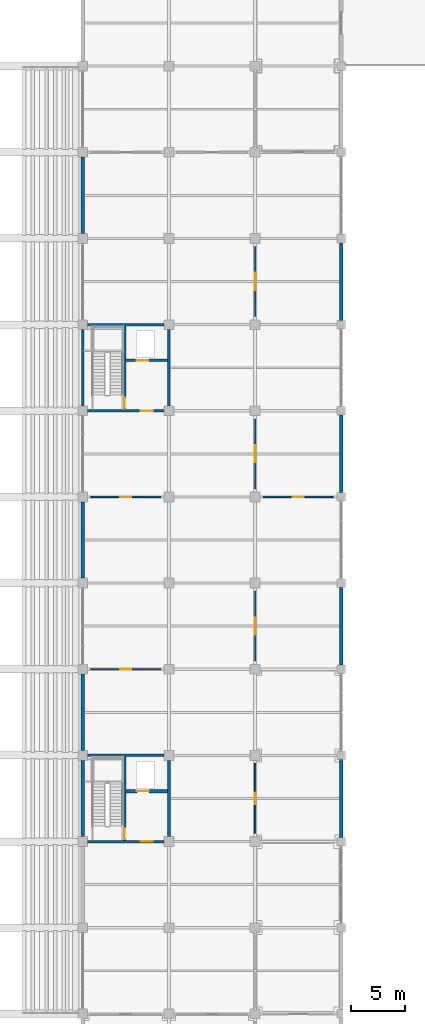
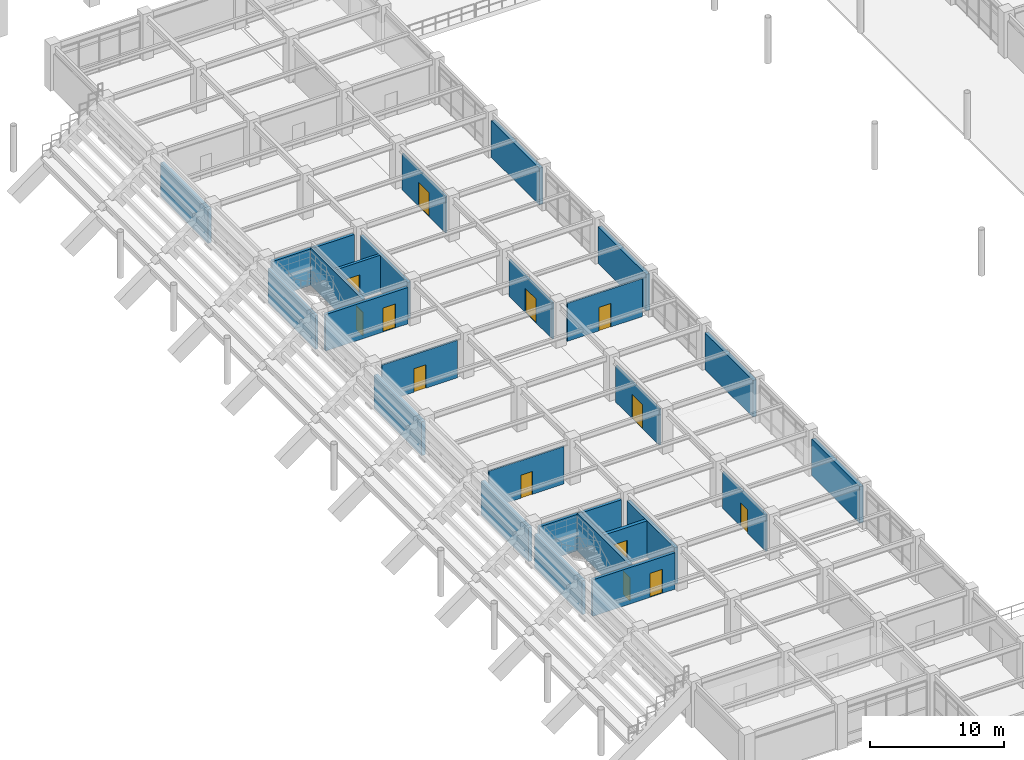
# One storey, part 92 of 118: 26 walls, 13 doors, 13 openings.
"""IFC4 building model written with IfcOpenShell, lengths in metres."""

from ifc_helpers import new_model, si_unit, direction, frame, frame_2d, origin, place, context, subcontext, project, spatial, rectangle, extrude, material, layer, layer_set, type_object, element, fill, save


model = new_model("IFC4")

# Units and contexts
model_context = context("Model", 3, precision=1e-05, world=origin(), true_north=direction((0.0, 1.0)))
body_context = subcontext(model_context, "Body", "Model", "MODEL_VIEW")
ifc_project = project(units=[si_unit("LENGTHUNIT", "METRE"), si_unit("AREAUNIT", "SQUARE_METRE"), si_unit("VOLUMEUNIT", "CUBIC_METRE"), si_unit("PLANEANGLEUNIT", "RADIAN"), si_unit("MASSUNIT", "GRAM", prefix="KILO")], contexts=[model_context])

# Site, building, storey
site_placement = place(None, origin())
site = spatial("IfcSite", under=ifc_project, at=site_placement, CompositionType="ELEMENT")
building_placement = place(site_placement, origin())
building = spatial("IfcBuilding", under=site, at=building_placement, Name="Haebicheon Civic Stadium", CompositionType="ELEMENT")
storey_placement = place(building_placement, frame((0.0, 0.0, 14.39990234375)))
storey = spatial("IfcBuildingStorey", under=building, at=storey_placement, Name="L04", CompositionType="ELEMENT", Elevation=14.39990234375)

# Wall, opening, door
ifc_material_1 = material(Name="Concrete C40/50", Category="concrete")
ifc_layer_1 = layer(ifc_material_1, 0.239990234375, Name="Concrete C40/50")
ifc_layer_set_1 = layer_set([ifc_layer_1], Name="Concrete C40/50")
wall_type_1 = type_object("IfcWallType", Name="CW-SHR-240", PredefinedType="SHEAR", material=ifc_layer_set_1)
wall_1_placement = place(storey_placement, frame((144.449951171875, 64.0, 0.0), z_axis=(0.0, 0.0, 1.0), x_axis=(1.0, 0.0, 0.0)))
wall_1 = element("IfcWall", 1, at=wall_1_placement, inside=storey, type_object=wall_type_1, material=ifc_layer_set_1, Name="KC-10 L04 south core shear wall", PredefinedType="SHEAR", context=body_context, shape_type="SweptSolid", body=[
    extrude(rectangle(XDim=7.10009765625, YDim=0.239990234375, at=frame_2d((3.550048828125, 0.0))), origin(), (0.0, 0.0, 1.0), 3.330078125),
])
opening_1_placement = place(wall_1_placement, frame((4.949951171875, 0.0, 0.0)))
opening_1 = element("IfcOpeningElement", 2, at=opening_1_placement, cuts=wall_1, Name="Opening D-L04-KC-10-LOB", PredefinedType="OPENING", context=body_context, shape_type="SweptSolid", body=[
    extrude(rectangle(XDim=1.10009765625, YDim=2.199951171875, at=frame_2d((0.550048828125, 1.10009765625))), frame((0.0, 0.1298828125, 0.0), z_axis=(0.0, -1.0, 0.0), x_axis=(1.0, 0.0, 0.0)), (0.0, 0.0, 1.0), 0.260009765625),
])
ifc_material_2 = material(Name="Galvanised painted steel SM355", Category="steel")
door_type_1 = type_object("IfcDoorType", Name="ID-FD-1100", OperationType="NOTDEFINED", PredefinedType="DOOR", material=ifc_material_2)
door_1_placement = place(opening_1_placement, origin())
door_1 = element("IfcDoor", 3, at=door_1_placement, inside=storey, type_object=door_type_1, material=ifc_material_2, Name="L04 KC-10 lobby fire door", OperationType="SINGLE_SWING_LEFT", OverallHeight=2.199951171875, OverallWidth=1.10009765625, PredefinedType="DOOR", context=body_context, shape_type="SweptSolid", body=[
    extrude(rectangle(XDim=1.10009765625, YDim=2.199951171875, at=frame_2d((0.550048828125, 1.10009765625))), frame((0.0, 0.02490234375, 0.0), z_axis=(0.0, -1.0, 0.0), x_axis=(1.0, 0.0, 0.0)), (0.0, 0.0, 1.0), 0.050048828125),
])
fill(opening_1, door_1)

# Wall
wall_2_placement = place(storey_placement, frame((144.449951171875, 72.0, 0.0), z_axis=(0.0, 0.0, 1.0), x_axis=(1.0, 0.0, 0.0)))
element("IfcWall", 4, at=wall_2_placement, inside=storey, type_object=wall_type_1, material=ifc_layer_set_1, Name="KC-10 L04 north core shear wall", PredefinedType="SHEAR", context=body_context, shape_type="SweptSolid", body=[
    extrude(rectangle(XDim=7.10009765625, YDim=0.239990234375, at=frame_2d((3.550048828125, 0.0))), origin(), (0.0, 0.0, 1.0), 3.330078125),
])

# Wall, opening, door
wall_3_placement = place(storey_placement, frame((144.449951171875, 104.0, 0.0), z_axis=(0.0, 0.0, 1.0), x_axis=(1.0, 0.0, 0.0)))
wall_3 = element("IfcWall", 5, at=wall_3_placement, inside=storey, type_object=wall_type_1, material=ifc_layer_set_1, Name="KC-11 L04 south core shear wall", PredefinedType="SHEAR", context=body_context, shape_type="SweptSolid", body=[
    extrude(rectangle(XDim=7.10009765625, YDim=0.239990234375, at=frame_2d((3.550048828125, 0.0))), origin(), (0.0, 0.0, 1.0), 3.330078125),
])
opening_2_placement = place(wall_3_placement, frame((4.949951171875, 0.0, 0.0)))
opening_2 = element("IfcOpeningElement", 6, at=opening_2_placement, cuts=wall_3, Name="Opening D-L04-KC-11-LOB", PredefinedType="OPENING", context=body_context, shape_type="SweptSolid", body=[
    extrude(rectangle(XDim=1.10009765625, YDim=2.199951171875, at=frame_2d((0.550048828125, 1.10009765625))), frame((0.0, 0.1298828125, 0.0), z_axis=(0.0, -1.0, 0.0), x_axis=(1.0, 0.0, 0.0)), (0.0, 0.0, 1.0), 0.260009765625),
])
door_2_placement = place(opening_2_placement, origin())
door_2 = element("IfcDoor", 7, at=door_2_placement, inside=storey, type_object=door_type_1, material=ifc_material_2, Name="L04 KC-11 lobby fire door", OperationType="SINGLE_SWING_RIGHT", OverallHeight=2.199951171875, OverallWidth=1.10009765625, PredefinedType="DOOR", context=body_context, shape_type="SweptSolid", body=[
    extrude(rectangle(XDim=1.10009765625, YDim=2.199951171875, at=frame_2d((0.550048828125, 1.10009765625))), frame((0.0, 0.02490234375, 0.0), z_axis=(0.0, -1.0, 0.0), x_axis=(1.0, 0.0, 0.0)), (0.0, 0.0, 1.0), 0.050048828125),
])
fill(opening_2, door_2)

# Walls
wall_4_placement = place(storey_placement, frame((144.449951171875, 112.0, 0.0), z_axis=(0.0, 0.0, 1.0), x_axis=(1.0, 0.0, 0.0)))
element("IfcWall", 8, at=wall_4_placement, inside=storey, type_object=wall_type_1, material=ifc_layer_set_1, Name="KC-11 L04 north core shear wall", PredefinedType="SHEAR", context=body_context, shape_type="SweptSolid", body=[
    extrude(rectangle(XDim=7.10009765625, YDim=0.239990234375, at=frame_2d((3.550048828125, 0.0))), origin(), (0.0, 0.0, 1.0), 3.330078125),
])
wall_5_placement = place(storey_placement, frame((144.0, 104.449951171875, 0.0), z_axis=(0.0, 0.0, 1.0), x_axis=(0.0, 1.0, 0.0)))
element("IfcWall", 9, at=wall_5_placement, inside=storey, type_object=wall_type_1, material=ifc_layer_set_1, Name="KC-11 L04 west core shear wall", PredefinedType="SHEAR", context=body_context, shape_type="SweptSolid", body=[
    extrude(rectangle(XDim=7.10009765625, YDim=0.239990234375, at=frame_2d((3.550048828125, 0.0))), origin(), (0.0, 0.0, 1.0), 3.10009765625),
])
wall_6_placement = place(storey_placement, frame((152.0, 104.449951171875, 0.0), z_axis=(0.0, 0.0, 1.0), x_axis=(0.0, 1.0, 0.0)))
element("IfcWall", 10, at=wall_6_placement, inside=storey, type_object=wall_type_1, material=ifc_layer_set_1, Name="KC-11 L04 east core shear wall", PredefinedType="SHEAR", context=body_context, shape_type="SweptSolid", body=[
    extrude(rectangle(XDim=7.10009765625, YDim=0.239990234375, at=frame_2d((3.550048828125, 0.0))), origin(), (0.0, 0.0, 1.0), 3.330078125),
])

# Wall, opening, door
wall_7_placement = place(storey_placement, frame((147.8798828125, 104.1201171875, 0.0), z_axis=(0.0, 0.0, 1.0), x_axis=(0.0, 1.0, 0.0)))
wall_7 = element("IfcWall", 11, at=wall_7_placement, inside=storey, type_object=wall_type_1, material=ifc_layer_set_1, Name="KC-11 L04 stair-lobby dividing shear wall", PredefinedType="SHEAR", context=body_context, shape_type="SweptSolid", body=[
    extrude(rectangle(XDim=7.759765625, YDim=0.239990234375, at=frame_2d((3.8798828125, 0.0))), origin(), (0.0, 0.0, 1.0), 3.43017578125),
])
opening_3_placement = place(wall_7_placement, frame((0.080078125, 0.0, 0.0)))
opening_3 = element("IfcOpeningElement", 12, at=opening_3_placement, cuts=wall_7, Name="Opening D-L04-KC-11-STR", PredefinedType="OPENING", context=body_context, shape_type="SweptSolid", body=[
    extrude(rectangle(XDim=1.050048828125, YDim=2.14990234375, at=frame_2d((0.52490234375, 1.074951171875))), frame((0.0, 0.1298828125, 0.0), z_axis=(0.0, -1.0, 0.0), x_axis=(1.0, 0.0, 0.0)), (0.0, 0.0, 1.0), 0.260009765625),
])
ifc_material_3 = material(Name="Galvanised painted steel SM355", Category="steel")
door_type_2 = type_object("IfcDoorType", Name="ID-FD-1050", OperationType="NOTDEFINED", PredefinedType="DOOR", material=ifc_material_3)
door_3_placement = place(opening_3_placement, origin())
door_3 = element("IfcDoor", 13, at=door_3_placement, inside=storey, type_object=door_type_2, material=ifc_material_3, Name="L04 ST-11 stairwell escape door", OperationType="SINGLE_SWING_LEFT", OverallHeight=2.14990234375, OverallWidth=1.050048828125, PredefinedType="DOOR", context=body_context, shape_type="SweptSolid", body=[
    extrude(rectangle(XDim=1.050048828125, YDim=2.14990234375, at=frame_2d((0.52490234375, 1.074951171875))), frame((0.0, 0.02490234375, 0.0), z_axis=(0.0, -1.0, 0.0), x_axis=(1.0, 0.0, 0.0)), (0.0, 0.0, 1.0), 0.050048828125),
])
fill(opening_3, door_3)

wall_8_placement = place(storey_placement, frame((148.0, 108.679931640625, 0.0), z_axis=(0.0, 0.0, 1.0), x_axis=(1.0, 0.0, 0.0)))
wall_8 = element("IfcWall", 14, at=wall_8_placement, inside=storey, type_object=wall_type_1, material=ifc_layer_set_1, Name="KC-11 L04 lift shaft front wall", PredefinedType="SHEAR", context=body_context, shape_type="SweptSolid", body=[
    extrude(rectangle(XDim=3.8798828125, YDim=0.239990234375, at=frame_2d((1.93994140625, 0.0))), origin(), (0.0, 0.0, 1.0), 3.330078125),
])
opening_4_placement = place(wall_8_placement, frame((1.0, 0.0, 0.0)))
opening_4 = element("IfcOpeningElement", 15, at=opening_4_placement, cuts=wall_8, Name="Opening LD-08-L04", PredefinedType="OPENING", context=body_context, shape_type="SweptSolid", body=[
    extrude(rectangle(XDim=1.10009765625, YDim=2.14990234375, at=frame_2d((0.550048828125, 1.074951171875))), frame((0.0, 0.1298828125, 0.0), z_axis=(0.0, -1.0, 0.0), x_axis=(1.0, 0.0, 0.0)), (0.0, 0.0, 1.0), 0.260009765625),
])
ifc_material_4 = material(Name="Stainless steel 316", Category="steel")
door_type_3 = type_object("IfcDoorType", Name="ID-LD-1100", OperationType="NOTDEFINED", PredefinedType="DOOR", material=ifc_material_4)
door_4_placement = place(opening_4_placement, origin())
door_4 = element("IfcDoor", 16, at=door_4_placement, inside=storey, type_object=door_type_3, material=ifc_material_4, Name="LF-08 lift landing sliding door L04", OperationType="SLIDING_TO_LEFT", OverallHeight=2.14990234375, OverallWidth=1.10009765625, PredefinedType="DOOR", context=body_context, shape_type="SweptSolid", body=[
    extrude(rectangle(XDim=1.10009765625, YDim=2.14990234375, at=frame_2d((0.550048828125, 1.074951171875))), frame((0.0, 0.02490234375, 0.0), z_axis=(0.0, -1.0, 0.0), x_axis=(1.0, 0.0, 0.0)), (0.0, 0.0, 1.0), 0.050048828125),
])
fill(opening_4, door_4)

# Walls
ifc_material_5 = material(Name="Concrete C40/50", Category="concrete")
ifc_layer_2 = layer(ifc_material_5, 0.300048828125, Name="Concrete C40/50")
ifc_layer_set_2 = layer_set([ifc_layer_2], Name="Concrete C40/50")
wall_type_2 = type_object("IfcWallType", Name="CW-SHR-300", PredefinedType="SHEAR", material=ifc_layer_set_2)
wall_9_placement = place(storey_placement, frame((144.0, 64.449951171875, 0.0), z_axis=(0.0, 0.0, 1.0), x_axis=(0.0, 1.0, 0.0)))
element("IfcWall", 17, at=wall_9_placement, inside=storey, type_object=wall_type_2, material=ifc_layer_set_2, Name="KC-10 L04 west core shear wall", PredefinedType="SHEAR", context=body_context, shape_type="SweptSolid", body=[
    extrude(rectangle(XDim=7.10009765625, YDim=0.300048828125, at=frame_2d((3.550048828125, 0.0))), origin(), (0.0, 0.0, 1.0), 3.10009765625),
])
wall_10_placement = place(storey_placement, frame((152.0, 64.449951171875, 0.0), z_axis=(0.0, 0.0, 1.0), x_axis=(0.0, 1.0, 0.0)))
element("IfcWall", 18, at=wall_10_placement, inside=storey, type_object=wall_type_2, material=ifc_layer_set_2, Name="KC-10 L04 east core shear wall", PredefinedType="SHEAR", context=body_context, shape_type="SweptSolid", body=[
    extrude(rectangle(XDim=7.10009765625, YDim=0.300048828125, at=frame_2d((3.550048828125, 0.0))), origin(), (0.0, 0.0, 1.0), 3.330078125),
])

# Wall, opening, door
wall_11_placement = place(storey_placement, frame((147.8798828125, 64.1201171875, 0.0), z_axis=(0.0, 0.0, 1.0), x_axis=(0.0, 1.0, 0.0)))
wall_11 = element("IfcWall", 19, at=wall_11_placement, inside=storey, type_object=wall_type_2, material=ifc_layer_set_2, Name="KC-10 L04 stair-lobby dividing shear wall", PredefinedType="SHEAR", context=body_context, shape_type="SweptSolid", body=[
    extrude(rectangle(XDim=7.759765625, YDim=0.300048828125, at=frame_2d((3.8798828125, 0.0))), origin(), (0.0, 0.0, 1.0), 3.43017578125),
])
opening_5_placement = place(wall_11_placement, frame((0.080078125, 0.0, 0.0)))
opening_5 = element("IfcOpeningElement", 20, at=opening_5_placement, cuts=wall_11, Name="Opening D-L04-KC-10-STR", PredefinedType="OPENING", context=body_context, shape_type="SweptSolid", body=[
    extrude(rectangle(XDim=1.050048828125, YDim=2.14990234375, at=frame_2d((0.52490234375, 1.074951171875))), frame((0.0, 0.159912109375, 0.0), z_axis=(0.0, -1.0, 0.0), x_axis=(1.0, 0.0, 0.0)), (0.0, 0.0, 1.0), 0.320068359375),
])
door_5_placement = place(opening_5_placement, origin())
door_5 = element("IfcDoor", 21, at=door_5_placement, inside=storey, type_object=door_type_2, material=ifc_material_3, Name="L04 ST-10 stairwell escape door", OperationType="SINGLE_SWING_RIGHT", OverallHeight=2.14990234375, OverallWidth=1.050048828125, PredefinedType="DOOR", context=body_context, shape_type="SweptSolid", body=[
    extrude(rectangle(XDim=1.050048828125, YDim=2.14990234375, at=frame_2d((0.52490234375, 1.074951171875))), frame((0.0, 0.02490234375, 0.0), z_axis=(0.0, -1.0, 0.0), x_axis=(1.0, 0.0, 0.0)), (0.0, 0.0, 1.0), 0.050048828125),
])
fill(opening_5, door_5)

wall_12_placement = place(storey_placement, frame((148.030029296875, 68.679931640625, 0.0), z_axis=(0.0, 0.0, 1.0), x_axis=(1.0, 0.0, 0.0)))
wall_12 = element("IfcWall", 22, at=wall_12_placement, inside=storey, type_object=wall_type_2, material=ifc_layer_set_2, Name="KC-10 L04 lift shaft front wall", PredefinedType="SHEAR", context=body_context, shape_type="SweptSolid", body=[
    extrude(rectangle(XDim=3.820068359375, YDim=0.300048828125, at=frame_2d((1.91015625, 0.0))), origin(), (0.0, 0.0, 1.0), 3.330078125),
])
opening_6_placement = place(wall_12_placement, frame((1.0, 0.0, 0.0)))
opening_6 = element("IfcOpeningElement", 23, at=opening_6_placement, cuts=wall_12, Name="Opening LD-07-L04", PredefinedType="OPENING", context=body_context, shape_type="SweptSolid", body=[
    extrude(rectangle(XDim=1.10009765625, YDim=2.14990234375, at=frame_2d((0.550048828125, 1.074951171875))), frame((0.0, 0.159912109375, 0.0), z_axis=(0.0, -1.0, 0.0), x_axis=(1.0, 0.0, 0.0)), (0.0, 0.0, 1.0), 0.320068359375),
])
door_6_placement = place(opening_6_placement, origin())
door_6 = element("IfcDoor", 24, at=door_6_placement, inside=storey, type_object=door_type_3, material=ifc_material_4, Name="LF-07 lift landing sliding door L04", OperationType="SLIDING_TO_LEFT", OverallHeight=2.14990234375, OverallWidth=1.10009765625, PredefinedType="DOOR", context=body_context, shape_type="SweptSolid", body=[
    extrude(rectangle(XDim=1.10009765625, YDim=2.14990234375, at=frame_2d((0.550048828125, 1.074951171875))), frame((0.0, 0.02490234375, 0.0), z_axis=(0.0, -1.0, 0.0), x_axis=(1.0, 0.0, 0.0)), (0.0, 0.0, 1.0), 0.050048828125),
])
fill(opening_6, door_6)

# Walls
ifc_material_6 = material(Name="Precast concrete C40/50", Category="concrete")
ifc_layer_3 = layer(ifc_material_6, 0.320068359375, Name="Precast concrete C40/50")
ifc_layer_set_3 = layer_set([ifc_layer_3], Name="Precast concrete C40/50")
wall_type_3 = type_object("IfcWallType", Name="EW-BM-320", PredefinedType="SOLIDWALL", material=ifc_layer_set_3)
for number, where, z_axis, x_axis, name in (
    (25, (144.0, 72.449951171875, 0.0), (0.0, 0.0, 1.0), (0.0, 1.0, 0.0), "L04 board-marked concrete facade wall 18-09-W"),
    (26, (144.0, 88.449951171875, 0.0), (0.0, 0.0, 1.0), (0.0, 1.0, 0.0), "L04 board-marked concrete facade wall 18-11-W"),
    (27, (144.0, 120.449951171875, 0.0), (0.0, 0.0, 1.0), (0.0, 1.0, 0.0), "L04 board-marked concrete facade wall 18-15-W"),
):
    element("IfcWall", number, at=place(storey_placement, frame(where, z_axis=z_axis, x_axis=x_axis)), inside=storey, type_object=wall_type_3, material=ifc_layer_set_3, Name=name, PredefinedType="SOLIDWALL", context=body_context, shape_type="SweptSolid", body=[
        extrude(rectangle(XDim=7.10009765625, YDim=0.320068359375, at=frame_2d((3.550048828125, 0.0))), origin(), (0.0, 0.0, 1.0), 3.10009765625),
    ])
for number, where, z_axis, x_axis, name in (
    (28, (168.0, 64.39990234375, 0.0), (0.0, 0.0, 1.0), (0.0, 1.0, 0.0), "L04 board-marked concrete facade wall 21-08-E"),
    (29, (168.0, 80.39990234375, 0.0), (0.0, 0.0, 1.0), (0.0, 1.0, 0.0), "L04 board-marked concrete facade wall 21-10-E"),
    (30, (168.0, 96.39990234375, 0.0), (0.0, 0.0, 1.0), (0.0, 1.0, 0.0), "L04 board-marked concrete facade wall 21-12-E"),
    (31, (168.0, 112.39990234375, 0.0), (0.0, 0.0, 1.0), (0.0, 1.0, 0.0), "L04 board-marked concrete facade wall 21-14-E"),
):
    element("IfcWall", number, at=place(storey_placement, frame(where, z_axis=z_axis, x_axis=x_axis)), inside=storey, type_object=wall_type_3, material=ifc_layer_set_3, Name=name, PredefinedType="SOLIDWALL", context=body_context, shape_type="SweptSolid", body=[
        extrude(rectangle(XDim=7.2001953125, YDim=0.320068359375, at=frame_2d((3.60009765625, 0.0))), origin(), (0.0, 0.0, 1.0), 3.35009765625),
    ])

# Wall, opening, door
ifc_material_7 = material(Name="Gypsum plasterboard on steel studs", Category="gypsum")
ifc_layer_4 = layer(ifc_material_7, 0.1298828125, Name="Gypsum plasterboard on steel studs")
ifc_layer_set_4 = layer_set([ifc_layer_4], Name="Gypsum plasterboard on steel studs")
wall_type_4 = type_object("IfcWallType", Name="IW-PRT-130", PredefinedType="PARTITIONING", material=ifc_layer_set_4)
wall_13_placement = place(storey_placement, frame((144.75, 80.0, 0.0), z_axis=(0.0, 0.0, 1.0), x_axis=(1.0, 0.0, 0.0)))
wall_13 = element("IfcWall", 32, at=wall_13_placement, inside=storey, type_object=wall_type_4, material=ifc_layer_set_4, Name="L04 Hospitality Service Pantry partition wall", PredefinedType="PARTITIONING", context=body_context, shape_type="SweptSolid", body=[
    extrude(rectangle(XDim=6.5, YDim=0.1298828125, at=frame_2d((3.25, 0.0))), origin(), (0.0, 0.0, 1.0), 3.43017578125),
])
opening_7_placement = place(wall_13_placement, frame((2.75, 0.0, 0.0)))
opening_7 = element("IfcOpeningElement", 33, at=opening_7_placement, cuts=wall_13, Name="Opening D-L04-392", PredefinedType="OPENING", context=body_context, shape_type="SweptSolid", body=[
    extrude(rectangle(XDim=1.0, YDim=2.10009765625, at=frame_2d((0.5, 1.050048828125))), frame((0.0, 0.074951171875, 0.0), z_axis=(0.0, -1.0, 0.0), x_axis=(1.0, 0.0, 0.0)), (0.0, 0.0, 1.0), 0.14990234375),
])
ifc_material_8 = material(Name="Engineered hardwood timber", Category="wood")
door_type_4 = type_object("IfcDoorType", Name="ID-RM-1000", OperationType="NOTDEFINED", PredefinedType="DOOR", material=ifc_material_8)
door_7_placement = place(opening_7_placement, origin())
door_7 = element("IfcDoor", 34, at=door_7_placement, inside=storey, type_object=door_type_4, material=ifc_material_8, Name="L04 Hospitality Service Pantry entrance door D-L04-392", OperationType="SINGLE_SWING_RIGHT", OverallHeight=2.10009765625, OverallWidth=1.0, PredefinedType="DOOR", context=body_context, shape_type="SweptSolid", body=[
    extrude(rectangle(XDim=1.0, YDim=2.10009765625, at=frame_2d((0.5, 1.050048828125))), frame((0.0, 0.02490234375, 0.0), z_axis=(0.0, -1.0, 0.0), x_axis=(1.0, 0.0, 0.0)), (0.0, 0.0, 1.0), 0.050048828125),
])
fill(opening_7, door_7)

ifc_material_9 = material(Name="Gypsum plasterboard on steel studs", Category="gypsum")
ifc_layer_5 = layer(ifc_material_9, 0.14990234375, Name="Gypsum plasterboard on steel studs")
ifc_layer_set_5 = layer_set([ifc_layer_5], Name="Gypsum plasterboard on steel studs")
wall_type_5 = type_object("IfcWallType", Name="IW-PRT-150", PredefinedType="PARTITIONING", material=ifc_layer_set_5)
wall_14_placement = place(storey_placement, frame((144.75, 96.0, 0.0), z_axis=(0.0, 0.0, 1.0), x_axis=(1.0, 0.0, 0.0)))
wall_14 = element("IfcWall", 35, at=wall_14_placement, inside=storey, type_object=wall_type_5, material=ifc_layer_set_5, Name="L04 Hospitality Suite partition wall", PredefinedType="PARTITIONING", context=body_context, shape_type="SweptSolid", body=[
    extrude(rectangle(XDim=6.5, YDim=0.14990234375, at=frame_2d((3.25, 0.0))), origin(), (0.0, 0.0, 1.0), 3.43017578125),
])
opening_8_placement = place(wall_14_placement, frame((2.72509765625, 0.0, 0.0)))
opening_8 = element("IfcOpeningElement", 36, at=opening_8_placement, cuts=wall_14, Name="Opening D-L04-393", PredefinedType="OPENING", context=body_context, shape_type="SweptSolid", body=[
    extrude(rectangle(XDim=1.050048828125, YDim=2.14990234375, at=frame_2d((0.52490234375, 1.074951171875))), frame((0.0, 0.0849609375, 0.0), z_axis=(0.0, -1.0, 0.0), x_axis=(1.0, 0.0, 0.0)), (0.0, 0.0, 1.0), 0.169921875),
])
ifc_material_10 = material(Name="Engineered hardwood timber", Category="wood")
door_type_5 = type_object("IfcDoorType", Name="ID-RM-1050", OperationType="NOTDEFINED", PredefinedType="DOOR", material=ifc_material_10)
door_8_placement = place(opening_8_placement, origin())
door_8 = element("IfcDoor", 37, at=door_8_placement, inside=storey, type_object=door_type_5, material=ifc_material_10, Name="L04 Hospitality Suite entrance door D-L04-393", OperationType="SINGLE_SWING_LEFT", OverallHeight=2.14990234375, OverallWidth=1.050048828125, PredefinedType="DOOR", context=body_context, shape_type="SweptSolid", body=[
    extrude(rectangle(XDim=1.050048828125, YDim=2.14990234375, at=frame_2d((0.52490234375, 1.074951171875))), frame((0.0, 0.02490234375, 0.0), z_axis=(0.0, -1.0, 0.0), x_axis=(1.0, 0.0, 0.0)), (0.0, 0.0, 1.0), 0.050048828125),
])
fill(opening_8, door_8)

wall_15_placement = place(storey_placement, frame((160.0, 96.75, 0.0), z_axis=(0.0, 0.0, 1.0), x_axis=(0.0, 1.0, 0.0)))
wall_15 = element("IfcWall", 38, at=wall_15_placement, inside=storey, type_object=wall_type_5, material=ifc_layer_set_5, Name="L04 East Pitch View Lounge partition wall", PredefinedType="PARTITIONING", context=body_context, shape_type="SweptSolid", body=[
    extrude(rectangle(XDim=6.5, YDim=0.14990234375, at=frame_2d((3.25, 0.0))), origin(), (0.0, 0.0, 1.0), 3.330078125),
])
opening_9_placement = place(wall_15_placement, frame((2.449951171875, 0.0, 0.0)))
opening_9 = element("IfcOpeningElement", 39, at=opening_9_placement, cuts=wall_15, Name="Opening D-L04-394", PredefinedType="OPENING", context=body_context, shape_type="SweptSolid", body=[
    extrude(rectangle(XDim=1.60009765625, YDim=2.199951171875, at=frame_2d((0.800048828125, 1.10009765625))), frame((0.0, 0.0849609375, 0.0), z_axis=(0.0, -1.0, 0.0), x_axis=(1.0, 0.0, 0.0)), (0.0, 0.0, 1.0), 0.169921875),
])
ifc_material_11 = material(Name="Anodised aluminium and laminated glass", Category="aluminium")
door_type_6 = type_object("IfcDoorType", Name="ID-DBL-1600", OperationType="NOTDEFINED", PredefinedType="DOOR", material=ifc_material_11)
door_9_placement = place(opening_9_placement, origin())
door_9 = element("IfcDoor", 40, at=door_9_placement, inside=storey, type_object=door_type_6, material=ifc_material_11, Name="L04 East Pitch View Lounge entrance door D-L04-394", OperationType="DOUBLE_SWING_LEFT", OverallHeight=2.199951171875, OverallWidth=1.60009765625, PredefinedType="DOOR", context=body_context, shape_type="SweptSolid", body=[
    extrude(rectangle(XDim=1.60009765625, YDim=2.199951171875, at=frame_2d((0.800048828125, 1.10009765625))), frame((0.0, 0.02490234375, 0.0), z_axis=(0.0, -1.0, 0.0), x_axis=(1.0, 0.0, 0.0)), (0.0, 0.0, 1.0), 0.050048828125),
])
fill(opening_9, door_9)

wall_16_placement = place(storey_placement, frame((160.0, 64.75, 0.0), z_axis=(0.0, 0.0, 1.0), x_axis=(0.0, 1.0, 0.0)))
wall_16 = element("IfcWall", 41, at=wall_16_placement, inside=storey, type_object=wall_type_5, material=ifc_layer_set_5, Name="L04 Hospitality Suite partition wall", PredefinedType="PARTITIONING", context=body_context, shape_type="SweptSolid", body=[
    extrude(rectangle(XDim=6.5, YDim=0.14990234375, at=frame_2d((3.25, 0.0))), origin(), (0.0, 0.0, 1.0), 3.330078125),
])
opening_10_placement = place(wall_16_placement, frame((2.72509765625, 0.0, 0.0)))
opening_10 = element("IfcOpeningElement", 42, at=opening_10_placement, cuts=wall_16, Name="Opening D-L04-415", PredefinedType="OPENING", context=body_context, shape_type="SweptSolid", body=[
    extrude(rectangle(XDim=1.050048828125, YDim=2.14990234375, at=frame_2d((0.52490234375, 1.074951171875))), frame((0.0, 0.0849609375, 0.0), z_axis=(0.0, -1.0, 0.0), x_axis=(1.0, 0.0, 0.0)), (0.0, 0.0, 1.0), 0.169921875),
])
door_10_placement = place(opening_10_placement, origin())
door_10 = element("IfcDoor", 43, at=door_10_placement, inside=storey, type_object=door_type_5, material=ifc_material_10, Name="L04 Hospitality Suite entrance door D-L04-415", OperationType="SINGLE_SWING_LEFT", OverallHeight=2.14990234375, OverallWidth=1.050048828125, PredefinedType="DOOR", context=body_context, shape_type="SweptSolid", body=[
    extrude(rectangle(XDim=1.050048828125, YDim=2.14990234375, at=frame_2d((0.52490234375, 1.074951171875))), frame((0.0, 0.02490234375, 0.0), z_axis=(0.0, -1.0, 0.0), x_axis=(1.0, 0.0, 0.0)), (0.0, 0.0, 1.0), 0.050048828125),
])
fill(opening_10, door_10)

wall_17_placement = place(storey_placement, frame((160.0, 80.75, 0.0), z_axis=(0.0, 0.0, 1.0), x_axis=(0.0, 1.0, 0.0)))
wall_17 = element("IfcWall", 44, at=wall_17_placement, inside=storey, type_object=wall_type_5, material=ifc_layer_set_5, Name="L04 Garden Terrace Dining Lounge partition wall", PredefinedType="PARTITIONING", context=body_context, shape_type="SweptSolid", body=[
    extrude(rectangle(XDim=6.5, YDim=0.14990234375, at=frame_2d((3.25, 0.0))), origin(), (0.0, 0.0, 1.0), 3.330078125),
])
opening_11_placement = place(wall_17_placement, frame((2.449951171875, 0.0, 0.0)))
opening_11 = element("IfcOpeningElement", 45, at=opening_11_placement, cuts=wall_17, Name="Opening D-L04-416", PredefinedType="OPENING", context=body_context, shape_type="SweptSolid", body=[
    extrude(rectangle(XDim=1.60009765625, YDim=2.199951171875, at=frame_2d((0.800048828125, 1.10009765625))), frame((0.0, 0.0849609375, 0.0), z_axis=(0.0, -1.0, 0.0), x_axis=(1.0, 0.0, 0.0)), (0.0, 0.0, 1.0), 0.169921875),
])
door_11_placement = place(opening_11_placement, origin())
door_11 = element("IfcDoor", 46, at=door_11_placement, inside=storey, type_object=door_type_6, material=ifc_material_11, Name="L04 Garden Terrace Dining Lounge entrance door D-L04-416", OperationType="DOUBLE_SWING_LEFT", OverallHeight=2.199951171875, OverallWidth=1.60009765625, PredefinedType="DOOR", context=body_context, shape_type="SweptSolid", body=[
    extrude(rectangle(XDim=1.60009765625, YDim=2.199951171875, at=frame_2d((0.800048828125, 1.10009765625))), frame((0.0, 0.02490234375, 0.0), z_axis=(0.0, -1.0, 0.0), x_axis=(1.0, 0.0, 0.0)), (0.0, 0.0, 1.0), 0.050048828125),
])
fill(opening_11, door_11)

wall_18_placement = place(storey_placement, frame((160.75, 96.0, 0.0), z_axis=(0.0, 0.0, 1.0), x_axis=(1.0, 0.0, 0.0)))
wall_18 = element("IfcWall", 47, at=wall_18_placement, inside=storey, type_object=wall_type_5, material=ifc_layer_set_5, Name="L04 Hospitality Suite partition wall", PredefinedType="PARTITIONING", context=body_context, shape_type="SweptSolid", body=[
    extrude(rectangle(XDim=6.5, YDim=0.14990234375, at=frame_2d((3.25, 0.0))), origin(), (0.0, 0.0, 1.0), 3.47021484375),
])
opening_12_placement = place(wall_18_placement, frame((2.72509765625, 0.0, 0.0)))
opening_12 = element("IfcOpeningElement", 48, at=opening_12_placement, cuts=wall_18, Name="Opening D-L04-417", PredefinedType="OPENING", context=body_context, shape_type="SweptSolid", body=[
    extrude(rectangle(XDim=1.050048828125, YDim=2.14990234375, at=frame_2d((0.52490234375, 1.074951171875))), frame((0.0, 0.0849609375, 0.0), z_axis=(0.0, -1.0, 0.0), x_axis=(1.0, 0.0, 0.0)), (0.0, 0.0, 1.0), 0.169921875),
])
door_12_placement = place(opening_12_placement, origin())
door_12 = element("IfcDoor", 49, at=door_12_placement, inside=storey, type_object=door_type_5, material=ifc_material_10, Name="L04 Hospitality Suite entrance door D-L04-417", OperationType="SINGLE_SWING_RIGHT", OverallHeight=2.14990234375, OverallWidth=1.050048828125, PredefinedType="DOOR", context=body_context, shape_type="SweptSolid", body=[
    extrude(rectangle(XDim=1.050048828125, YDim=2.14990234375, at=frame_2d((0.52490234375, 1.074951171875))), frame((0.0, 0.02490234375, 0.0), z_axis=(0.0, -1.0, 0.0), x_axis=(1.0, 0.0, 0.0)), (0.0, 0.0, 1.0), 0.050048828125),
])
fill(opening_12, door_12)

wall_19_placement = place(storey_placement, frame((160.0, 112.75, 0.0), z_axis=(0.0, 0.0, 1.0), x_axis=(0.0, 1.0, 0.0)))
wall_19 = element("IfcWall", 50, at=wall_19_placement, inside=storey, type_object=wall_type_5, material=ifc_layer_set_5, Name="L04 Garden Terrace Dining Lounge partition wall", PredefinedType="PARTITIONING", context=body_context, shape_type="SweptSolid", body=[
    extrude(rectangle(XDim=6.5, YDim=0.14990234375, at=frame_2d((3.25, 0.0))), origin(), (0.0, 0.0, 1.0), 3.330078125),
])
opening_13_placement = place(wall_19_placement, frame((2.449951171875, 0.0, 0.0)))
opening_13 = element("IfcOpeningElement", 51, at=opening_13_placement, cuts=wall_19, Name="Opening D-L04-418", PredefinedType="OPENING", context=body_context, shape_type="SweptSolid", body=[
    extrude(rectangle(XDim=1.60009765625, YDim=2.199951171875, at=frame_2d((0.800048828125, 1.10009765625))), frame((0.0, 0.0849609375, 0.0), z_axis=(0.0, -1.0, 0.0), x_axis=(1.0, 0.0, 0.0)), (0.0, 0.0, 1.0), 0.169921875),
])
door_13_placement = place(opening_13_placement, origin())
door_13 = element("IfcDoor", 52, at=door_13_placement, inside=storey, type_object=door_type_6, material=ifc_material_11, Name="L04 Garden Terrace Dining Lounge entrance door D-L04-418", OperationType="DOUBLE_SWING_LEFT", OverallHeight=2.199951171875, OverallWidth=1.60009765625, PredefinedType="DOOR", context=body_context, shape_type="SweptSolid", body=[
    extrude(rectangle(XDim=1.60009765625, YDim=2.199951171875, at=frame_2d((0.800048828125, 1.10009765625))), frame((0.0, 0.02490234375, 0.0), z_axis=(0.0, -1.0, 0.0), x_axis=(1.0, 0.0, 0.0)), (0.0, 0.0, 1.0), 0.050048828125),
])
fill(opening_13, door_13)

save(model, "model.ifc")
